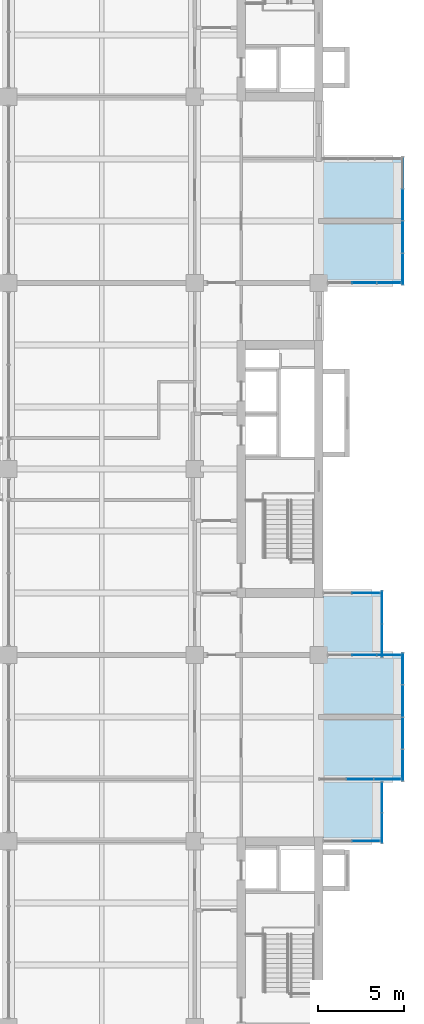
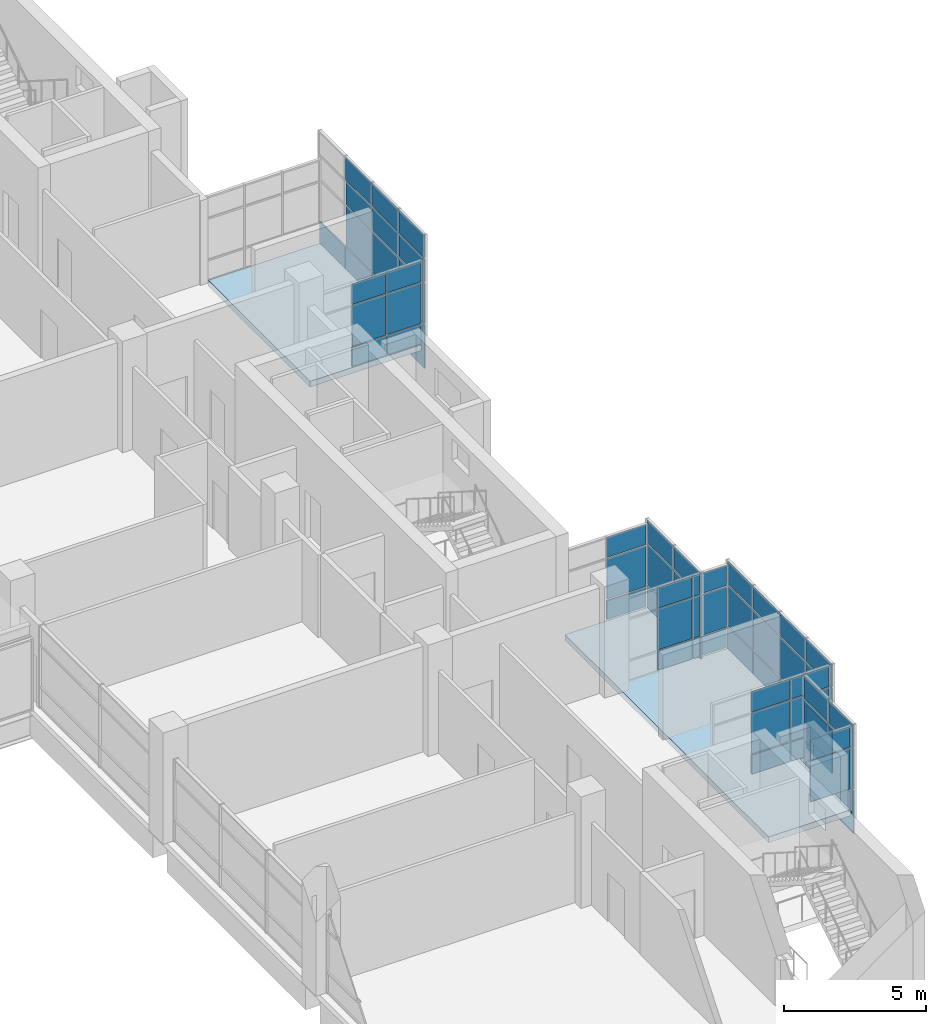
# One storey, part 24 of 35: 60 plates, 2 slabs, 9 elements without a shape of their own.
"""IFC4 building model written with IfcOpenShell, lengths in metres."""

from ifc_helpers import new_model, si_unit, direction, frame, origin, origin_2d, place, context, subcontext, project, spatial, polyline, rectangle, outline, extrude, material, layer, layer_set, type_object, element, aggregate, save


model = new_model("IFC4")

# Units and contexts
model_context = context("Model", 3, precision=1e-05, world=origin(), true_north=direction((0.0, 1.0)))
body_context = subcontext(model_context, "Body", "Model", "MODEL_VIEW")
ifc_project = project(units=[si_unit("LENGTHUNIT", "METRE"), si_unit("AREAUNIT", "SQUARE_METRE"), si_unit("VOLUMEUNIT", "CUBIC_METRE"), si_unit("PLANEANGLEUNIT", "RADIAN"), si_unit("MASSUNIT", "GRAM", prefix="KILO")], contexts=[model_context])

# Site, building, storey
site_placement = place(None, origin())
site = spatial("IfcSite", under=ifc_project, at=site_placement, CompositionType="ELEMENT")
building_placement = place(site_placement, origin())
building = spatial("IfcBuilding", under=site, at=building_placement, Name="Basin Gate Institute", CompositionType="ELEMENT")
storey_placement = place(building_placement, frame((0.0, 0.0, 31.800048828125)))
storey = spatial("IfcBuildingStorey", under=building, at=storey_placement, Name="L06", CompositionType="ELEMENT", Elevation=31.800048828125)

# Slabs
ifc_material_1 = material(Name="Concrete 40 MPa", Category="concrete")
ifc_layer_1 = layer(ifc_material_1, 0.25)
ifc_layer_set_1 = layer_set([ifc_layer_1], Name="Concrete 40 MPa")
slab_type = type_object("IfcSlabType", Name="Slab SL4 R120", PredefinedType="FLOOR", material=ifc_layer_set_1)
slab_1_placement = place(storey_placement, frame((0.0, 0.0, -0.25)))
element("IfcSlab", 1, at=slab_1_placement, inside=storey, type_object=slab_type, material=ifc_layer_set_1, Name="SLAB/L06/EK11", PredefinedType="FLOOR", context=body_context, shape_type="SweptSolid", body=[
    extrude(outline(polyline([(119.050048828125, 45.89990234375), (119.050048828125, 60.300048828125), (122.39990234375, 60.300048828125), (122.39990234375, 56.699951171875), (123.60009765625, 56.699951171875), (123.60009765625, 49.5), (122.39990234375, 49.5), (122.39990234375, 45.89990234375), (119.050048828125, 45.89990234375)])), origin(), (0.0, 0.0, 1.0), 0.25),
])
slab_2_placement = place(storey_placement, frame((0.0, 0.0, -0.25)))
element("IfcSlab", 2, at=slab_2_placement, inside=storey, type_object=slab_type, material=ifc_layer_set_1, Name="SLAB/L06/EK22", PredefinedType="FLOOR", context=body_context, shape_type="SweptSolid", body=[
    extrude(outline(polyline([(123.60009765625, 78.300048828125), (119.050048828125, 78.300048828125), (119.050048828125, 85.5), (123.60009765625, 85.5), (123.60009765625, 78.300048828125)])), origin(), (0.0, 0.0, 1.0), 0.25),
])

# Curtain wall, plates
ifc_material_2 = material(Name="Aluminium-framed glazing", Category="aluminium")
ifc_layer_2 = layer(ifc_material_2, 0.14990234375)
ifc_layer_set_2 = layer_set([ifc_layer_2], Name="Capsule front curtain wall CW1")
curtain_wall_type = type_object("IfcCurtainWallType", Name="Capsule front curtain wall CW1", PredefinedType="NOTDEFINED", material=ifc_layer_set_2)
curtain_wall_1_placement = place(storey_placement, origin())
curtain_wall_1 = element("IfcCurtainWall", 3, at=curtain_wall_1_placement, inside=storey, type_object=curtain_wall_type, material=ifc_layer_set_2, Name="Capsule front curtain wall E wing capsule end L06 line 5", PredefinedType="NOTDEFINED")
ifc_material_3 = material(Name="Aluminium insulated spandrel panel", Category="aluminium")
ifc_layer_3 = layer(ifc_material_3, 0.050048828125)
ifc_layer_set_3 = layer_set([ifc_layer_3], Name="Spandrel panel PN2")
plate_type_1 = type_object("IfcPlateType", Name="Spandrel panel PN2", PredefinedType="CURTAIN_PANEL", material=ifc_layer_set_3)
plate_1_placement = place(storey_placement, frame((122.78759765625, 49.5, 0.059814453125), z_axis=(0.0, 0.0, 1.0), x_axis=(-1.0, 0.0, 0.0)))
plate_1 = element("IfcPlate", 4, at=plate_1_placement, type_object=plate_type_1, material=ifc_layer_set_3, Name="CW1 spandrel panel 1.1", PredefinedType="CURTAIN_PANEL", context=body_context, shape_type="SweptSolid", body=[
    extrude(rectangle(XDim=1.52490234375, YDim=0.050048828125, at=origin_2d()), origin(), (0.0, 0.0, 1.0), 0.81005859375),
])
plate_2_placement = place(storey_placement, frame((121.199951171875, 49.5, 0.059814453125), z_axis=(0.0, 0.0, 1.0), x_axis=(-1.0, 0.0, 0.0)))
plate_2 = element("IfcPlate", 5, at=plate_2_placement, type_object=plate_type_1, material=ifc_layer_set_3, Name="CW1 spandrel panel 2.1", PredefinedType="CURTAIN_PANEL", context=body_context, shape_type="SweptSolid", body=[
    extrude(rectangle(XDim=1.550048828125, YDim=0.050048828125, at=origin_2d()), origin(), (0.0, 0.0, 1.0), 0.81005859375),
])

curtain_wall_2_placement = place(storey_placement, origin())
curtain_wall_2 = element("IfcCurtainWall", 6, at=curtain_wall_2_placement, inside=storey, type_object=curtain_wall_type, material=ifc_layer_set_2, Name="Capsule front curtain wall E wing capsule end L06 line 7", PredefinedType="NOTDEFINED")
plate_3_placement = place(storey_placement, frame((122.870849609375, 56.699951171875, 0.059814453125), z_axis=(0.0, 0.0, 1.0), x_axis=(-1.0, 0.0, 0.0)))
plate_3 = element("IfcPlate", 7, at=plate_3_placement, type_object=plate_type_1, material=ifc_layer_set_3, Name="CW1 spandrel panel 1.1", PredefinedType="CURTAIN_PANEL", context=body_context, shape_type="SweptSolid", body=[
    extrude(rectangle(XDim=1.3583984375, YDim=0.050048828125, at=origin_2d()), origin(), (0.0, 0.0, 1.0), 0.81005859375),
])
plate_4_placement = place(storey_placement, frame((121.449951171875, 56.699951171875, 0.059814453125), z_axis=(0.0, 0.0, 1.0), x_axis=(-1.0, 0.0, 0.0)))
plate_4 = element("IfcPlate", 8, at=plate_4_placement, type_object=plate_type_1, material=ifc_layer_set_3, Name="CW1 spandrel panel 2.1", PredefinedType="CURTAIN_PANEL", context=body_context, shape_type="SweptSolid", body=[
    extrude(rectangle(XDim=1.38330078125, YDim=0.050048828125, at=origin_2d()), origin(), (0.0, 0.0, 1.0), 0.81005859375),
])

# Curtain wall, plate
curtain_wall_3_placement = place(storey_placement, origin())
curtain_wall_3 = element("IfcCurtainWall", 9, at=curtain_wall_3_placement, inside=storey, type_object=curtain_wall_type, material=ifc_layer_set_2, Name="Capsule front curtain wall E wing capsule end L06 line 8", PredefinedType="NOTDEFINED")
plate_5_placement = place(storey_placement, frame((121.550048828125, 60.300048828125, 0.059814453125), z_axis=(0.0, 0.0, 1.0), x_axis=(-1.0, 0.0, 0.0)))
plate_5 = element("IfcPlate", 10, at=plate_5_placement, type_object=plate_type_1, material=ifc_layer_set_3, Name="CW1 spandrel panel 1.1", PredefinedType="CURTAIN_PANEL", context=body_context, shape_type="SweptSolid", body=[
    extrude(rectangle(XDim=1.60009765625, YDim=0.050048828125, at=origin_2d()), origin(), (0.0, 0.0, 1.0), 0.81005859375),
])

# Curtain wall, plates
curtain_wall_4_placement = place(storey_placement, origin())
curtain_wall_4 = element("IfcCurtainWall", 11, at=curtain_wall_4_placement, inside=storey, type_object=curtain_wall_type, material=ifc_layer_set_2, Name="Capsule front curtain wall E wing capsule end L06 line 13", PredefinedType="NOTDEFINED")
plate_6_placement = place(storey_placement, frame((122.870849609375, 78.300048828125, 0.059814453125), z_axis=(0.0, 0.0, 1.0), x_axis=(-1.0, 0.0, 0.0)))
plate_6 = element("IfcPlate", 12, at=plate_6_placement, type_object=plate_type_1, material=ifc_layer_set_3, Name="CW1 spandrel panel 1.1", PredefinedType="CURTAIN_PANEL", context=body_context, shape_type="SweptSolid", body=[
    extrude(rectangle(XDim=1.3583984375, YDim=0.050048828125, at=origin_2d()), origin(), (0.0, 0.0, 1.0), 0.81005859375),
])
plate_7_placement = place(storey_placement, frame((121.449951171875, 78.300048828125, 0.059814453125), z_axis=(0.0, 0.0, 1.0), x_axis=(-1.0, 0.0, 0.0)))
plate_7 = element("IfcPlate", 13, at=plate_7_placement, type_object=plate_type_1, material=ifc_layer_set_3, Name="CW1 spandrel panel 2.1", PredefinedType="CURTAIN_PANEL", context=body_context, shape_type="SweptSolid", body=[
    extrude(rectangle(XDim=1.38330078125, YDim=0.050048828125, at=origin_2d()), origin(), (0.0, 0.0, 1.0), 0.81005859375),
])

curtain_wall_5_placement = place(storey_placement, origin())
curtain_wall_5 = element("IfcCurtainWall", 14, at=curtain_wall_5_placement, inside=storey, type_object=curtain_wall_type, material=ifc_layer_set_2, Name="Capsule front curtain wall E wing capsule 1 L06 front 1", PredefinedType="NOTDEFINED")
plate_8_placement = place(storey_placement, frame((122.47509765625, 46.66259765625, -0.990234375), z_axis=(0.0, 0.0, 1.0), x_axis=(0.0, 1.0, 0.0)))
plate_8 = element("IfcPlate", 15, at=plate_8_placement, type_object=plate_type_1, material=ifc_layer_set_3, Name="CW1 spandrel panel 1.1", PredefinedType="CURTAIN_PANEL", context=body_context, shape_type="SweptSolid", body=[
    extrude(rectangle(XDim=1.72509765625, YDim=0.050048828125, at=origin_2d()), origin(), (0.0, 0.0, 1.0), 1.860107421875),
])
plate_9_placement = place(storey_placement, frame((122.47509765625, 48.4375, -0.990234375), z_axis=(0.0, 0.0, 1.0), x_axis=(0.0, 1.0, 0.0)))
plate_9 = element("IfcPlate", 16, at=plate_9_placement, type_object=plate_type_1, material=ifc_layer_set_3, Name="CW1 spandrel panel 2.1", PredefinedType="CURTAIN_PANEL", context=body_context, shape_type="SweptSolid", body=[
    extrude(rectangle(XDim=1.72509765625, YDim=0.050048828125, at=origin_2d()), origin(), (0.0, 0.0, 1.0), 1.860107421875),
])

curtain_wall_6_placement = place(storey_placement, origin())
curtain_wall_6 = element("IfcCurtainWall", 17, at=curtain_wall_6_placement, inside=storey, type_object=curtain_wall_type, material=ifc_layer_set_2, Name="Capsule front curtain wall E wing capsule 1 L06 front 2", PredefinedType="NOTDEFINED")
plate_10_placement = place(storey_placement, frame((123.675048828125, 50.300048828125, -0.990234375), z_axis=(0.0, 0.0, 1.0), x_axis=(0.0, 1.0, 0.0)))
plate_10 = element("IfcPlate", 18, at=plate_10_placement, type_object=plate_type_1, material=ifc_layer_set_3, Name="CW1 spandrel panel 1.1", PredefinedType="CURTAIN_PANEL", context=body_context, shape_type="SweptSolid", body=[
    extrude(rectangle(XDim=1.800048828125, YDim=0.050048828125, at=origin_2d()), origin(), (0.0, 0.0, 1.0), 1.860107421875),
])
plate_11_placement = place(storey_placement, frame((123.675048828125, 52.16259765625, -0.990234375), z_axis=(0.0, 0.0, 1.0), x_axis=(0.0, 1.0, 0.0)))
plate_11 = element("IfcPlate", 19, at=plate_11_placement, type_object=plate_type_1, material=ifc_layer_set_3, Name="CW1 spandrel panel 2.1", PredefinedType="CURTAIN_PANEL", context=body_context, shape_type="SweptSolid", body=[
    extrude(rectangle(XDim=1.824951171875, YDim=0.050048828125, at=origin_2d()), origin(), (0.0, 0.0, 1.0), 1.860107421875),
])
plate_12_placement = place(storey_placement, frame((123.675048828125, 54.03759765625, -0.990234375), z_axis=(0.0, 0.0, 1.0), x_axis=(0.0, 1.0, 0.0)))
plate_12 = element("IfcPlate", 20, at=plate_12_placement, type_object=plate_type_1, material=ifc_layer_set_3, Name="CW1 spandrel panel 3.1", PredefinedType="CURTAIN_PANEL", context=body_context, shape_type="SweptSolid", body=[
    extrude(rectangle(XDim=1.824951171875, YDim=0.050048828125, at=origin_2d()), origin(), (0.0, 0.0, 1.0), 1.860107421875),
])
plate_13_placement = place(storey_placement, frame((123.675048828125, 55.89990234375, -0.990234375), z_axis=(0.0, 0.0, 1.0), x_axis=(0.0, 1.0, 0.0)))
plate_13 = element("IfcPlate", 21, at=plate_13_placement, type_object=plate_type_1, material=ifc_layer_set_3, Name="CW1 spandrel panel 4.1", PredefinedType="CURTAIN_PANEL", context=body_context, shape_type="SweptSolid", body=[
    extrude(rectangle(XDim=1.800048828125, YDim=0.050048828125, at=origin_2d()), origin(), (0.0, 0.0, 1.0), 1.860107421875),
])

curtain_wall_7_placement = place(storey_placement, origin())
curtain_wall_7 = element("IfcCurtainWall", 22, at=curtain_wall_7_placement, inside=storey, type_object=curtain_wall_type, material=ifc_layer_set_2, Name="Capsule front curtain wall E wing capsule 1 L06 front 4", PredefinedType="NOTDEFINED")
plate_14_placement = place(storey_placement, frame((122.47509765625, 57.53759765625, -0.990234375), z_axis=(0.0, 0.0, 1.0), x_axis=(0.0, 1.0, 0.0)))
plate_14 = element("IfcPlate", 23, at=plate_14_placement, type_object=plate_type_1, material=ifc_layer_set_3, Name="CW1 spandrel panel 1.1", PredefinedType="CURTAIN_PANEL", context=body_context, shape_type="SweptSolid", body=[
    extrude(rectangle(XDim=1.875, YDim=0.050048828125, at=origin_2d()), origin(), (0.0, 0.0, 1.0), 1.860107421875),
])
plate_15_placement = place(storey_placement, frame((122.47509765625, 59.46240234375, -0.990234375), z_axis=(0.0, 0.0, 1.0), x_axis=(0.0, 1.0, 0.0)))
plate_15 = element("IfcPlate", 24, at=plate_15_placement, type_object=plate_type_1, material=ifc_layer_set_3, Name="CW1 spandrel panel 2.1", PredefinedType="CURTAIN_PANEL", context=body_context, shape_type="SweptSolid", body=[
    extrude(rectangle(XDim=1.875, YDim=0.050048828125, at=origin_2d()), origin(), (0.0, 0.0, 1.0), 1.860107421875),
])

curtain_wall_8_placement = place(storey_placement, origin())
curtain_wall_8 = element("IfcCurtainWall", 25, at=curtain_wall_8_placement, inside=storey, type_object=curtain_wall_type, material=ifc_layer_set_2, Name="Capsule front curtain wall E wing capsule 2 L06 front 2", PredefinedType="NOTDEFINED")
plate_16_placement = place(storey_placement, frame((123.675048828125, 79.10009765625, -0.990234375), z_axis=(0.0, 0.0, 1.0), x_axis=(0.0, 1.0, 0.0)))
plate_16 = element("IfcPlate", 26, at=plate_16_placement, type_object=plate_type_1, material=ifc_layer_set_3, Name="CW1 spandrel panel 1.1", PredefinedType="CURTAIN_PANEL", context=body_context, shape_type="SweptSolid", body=[
    extrude(rectangle(XDim=1.800048828125, YDim=0.050048828125, at=origin_2d()), origin(), (0.0, 0.0, 1.0), 1.860107421875),
])
plate_17_placement = place(storey_placement, frame((123.675048828125, 79.10009765625, 3.780029296875), z_axis=(0.0, 0.0, 1.0), x_axis=(0.0, 1.0, 0.0)))
plate_17 = element("IfcPlate", 27, at=plate_17_placement, type_object=plate_type_1, material=ifc_layer_set_3, Name="CW1 spandrel panel 1.4", PredefinedType="CURTAIN_PANEL", context=body_context, shape_type="SweptSolid", body=[
    extrude(rectangle(XDim=1.800048828125, YDim=0.050048828125, at=origin_2d()), origin(), (0.0, 0.0, 1.0), 0.9599609375),
])
plate_18_placement = place(storey_placement, frame((123.675048828125, 80.96240234375, -0.990234375), z_axis=(0.0, 0.0, 1.0), x_axis=(0.0, 1.0, 0.0)))
plate_18 = element("IfcPlate", 28, at=plate_18_placement, type_object=plate_type_1, material=ifc_layer_set_3, Name="CW1 spandrel panel 2.1", PredefinedType="CURTAIN_PANEL", context=body_context, shape_type="SweptSolid", body=[
    extrude(rectangle(XDim=1.824951171875, YDim=0.050048828125, at=origin_2d()), origin(), (0.0, 0.0, 1.0), 1.860107421875),
])
plate_19_placement = place(storey_placement, frame((123.675048828125, 80.96240234375, 3.780029296875), z_axis=(0.0, 0.0, 1.0), x_axis=(0.0, 1.0, 0.0)))
plate_19 = element("IfcPlate", 29, at=plate_19_placement, type_object=plate_type_1, material=ifc_layer_set_3, Name="CW1 spandrel panel 2.4", PredefinedType="CURTAIN_PANEL", context=body_context, shape_type="SweptSolid", body=[
    extrude(rectangle(XDim=1.824951171875, YDim=0.050048828125, at=origin_2d()), origin(), (0.0, 0.0, 1.0), 0.9599609375),
])
plate_20_placement = place(storey_placement, frame((123.675048828125, 82.83740234375, -0.990234375), z_axis=(0.0, 0.0, 1.0), x_axis=(0.0, 1.0, 0.0)))
plate_20 = element("IfcPlate", 30, at=plate_20_placement, type_object=plate_type_1, material=ifc_layer_set_3, Name="CW1 spandrel panel 3.1", PredefinedType="CURTAIN_PANEL", context=body_context, shape_type="SweptSolid", body=[
    extrude(rectangle(XDim=1.824951171875, YDim=0.050048828125, at=origin_2d()), origin(), (0.0, 0.0, 1.0), 1.860107421875),
])
plate_21_placement = place(storey_placement, frame((123.675048828125, 82.83740234375, 3.780029296875), z_axis=(0.0, 0.0, 1.0), x_axis=(0.0, 1.0, 0.0)))
plate_21 = element("IfcPlate", 31, at=plate_21_placement, type_object=plate_type_1, material=ifc_layer_set_3, Name="CW1 spandrel panel 3.4", PredefinedType="CURTAIN_PANEL", context=body_context, shape_type="SweptSolid", body=[
    extrude(rectangle(XDim=1.824951171875, YDim=0.050048828125, at=origin_2d()), origin(), (0.0, 0.0, 1.0), 0.9599609375),
])
plate_22_placement = place(storey_placement, frame((123.675048828125, 84.699951171875, -0.990234375), z_axis=(0.0, 0.0, 1.0), x_axis=(0.0, 1.0, 0.0)))
plate_22 = element("IfcPlate", 32, at=plate_22_placement, type_object=plate_type_1, material=ifc_layer_set_3, Name="CW1 spandrel panel 4.1", PredefinedType="CURTAIN_PANEL", context=body_context, shape_type="SweptSolid", body=[
    extrude(rectangle(XDim=1.800048828125, YDim=0.050048828125, at=origin_2d()), origin(), (0.0, 0.0, 1.0), 1.860107421875),
])

curtain_wall_9_placement = place(storey_placement, origin())
curtain_wall_9 = element("IfcCurtainWall", 33, at=curtain_wall_9_placement, inside=storey, type_object=curtain_wall_type, material=ifc_layer_set_2, Name="Capsule front curtain wall E wing capsule end L06 line 4", PredefinedType="NOTDEFINED")
ifc_material_4 = material(Name="Double glazed unit")
ifc_layer_4 = layer(ifc_material_4, 0.028076171875)
ifc_layer_set_4 = layer_set([ifc_layer_4], Name="Vision panel PN1")
plate_type_2 = type_object("IfcPlateType", Name="Vision panel PN1", PredefinedType="CURTAIN_PANEL", material=ifc_layer_set_4)
plate_23_placement = place(storey_placement, frame((121.550048828125, 45.89990234375, 0.93017578125), z_axis=(0.0, 0.0, 1.0), x_axis=(-1.0, 0.0, 0.0)))
plate_23 = element("IfcPlate", 34, at=plate_23_placement, type_object=plate_type_2, material=ifc_layer_set_4, Name="CW1 vision panel 1.2", PredefinedType="CURTAIN_PANEL", context=body_context, shape_type="SweptSolid", body=[
    extrude(rectangle(XDim=1.60009765625, YDim=0.028076171875, at=origin_2d()), origin(), (0.0, 0.0, 1.0), 1.739990234375),
])
plate_24_placement = place(storey_placement, frame((121.550048828125, 45.89990234375, 2.72998046875), z_axis=(0.0, 0.0, 1.0), x_axis=(-1.0, 0.0, 0.0)))
plate_24 = element("IfcPlate", 35, at=plate_24_placement, type_object=plate_type_2, material=ifc_layer_set_4, Name="CW1 vision panel 1.3", PredefinedType="CURTAIN_PANEL", context=body_context, shape_type="SweptSolid", body=[
    extrude(rectangle(XDim=1.60009765625, YDim=0.028076171875, at=origin_2d()), origin(), (0.0, 0.0, 1.0), 0.860107421875),
])
aggregate(curtain_wall_9, [plate_23, plate_24])

# Plate
plate_25_placement = place(storey_placement, frame((122.78759765625, 49.5, 0.93017578125), z_axis=(0.0, 0.0, 1.0), x_axis=(-1.0, 0.0, 0.0)))
plate_25 = element("IfcPlate", 36, at=plate_25_placement, type_object=plate_type_2, material=ifc_layer_set_4, Name="CW1 vision panel 1.2", PredefinedType="CURTAIN_PANEL", context=body_context, shape_type="SweptSolid", body=[
    extrude(rectangle(XDim=1.52490234375, YDim=0.028076171875, at=origin_2d()), origin(), (0.0, 0.0, 1.0), 1.739990234375),
])

plate_26_placement = place(storey_placement, frame((122.78759765625, 49.5, 2.72998046875), z_axis=(0.0, 0.0, 1.0), x_axis=(-1.0, 0.0, 0.0)))
plate_26 = element("IfcPlate", 37, at=plate_26_placement, type_object=plate_type_2, material=ifc_layer_set_4, Name="CW1 vision panel 1.3", PredefinedType="CURTAIN_PANEL", context=body_context, shape_type="SweptSolid", body=[
    extrude(rectangle(XDim=1.52490234375, YDim=0.028076171875, at=origin_2d()), origin(), (0.0, 0.0, 1.0), 0.860107421875),
])

plate_27_placement = place(storey_placement, frame((121.199951171875, 49.5, 0.93017578125), z_axis=(0.0, 0.0, 1.0), x_axis=(-1.0, 0.0, 0.0)))
plate_27 = element("IfcPlate", 38, at=plate_27_placement, type_object=plate_type_2, material=ifc_layer_set_4, Name="CW1 vision panel 2.2", PredefinedType="CURTAIN_PANEL", context=body_context, shape_type="SweptSolid", body=[
    extrude(rectangle(XDim=1.550048828125, YDim=0.028076171875, at=origin_2d()), origin(), (0.0, 0.0, 1.0), 1.739990234375),
])

plate_28_placement = place(storey_placement, frame((121.199951171875, 49.5, 2.72998046875), z_axis=(0.0, 0.0, 1.0), x_axis=(-1.0, 0.0, 0.0)))
plate_28 = element("IfcPlate", 39, at=plate_28_placement, type_object=plate_type_2, material=ifc_layer_set_4, Name="CW1 vision panel 2.3", PredefinedType="CURTAIN_PANEL", context=body_context, shape_type="SweptSolid", body=[
    extrude(rectangle(XDim=1.550048828125, YDim=0.028076171875, at=origin_2d()), origin(), (0.0, 0.0, 1.0), 0.860107421875),
])

aggregate(curtain_wall_1, [plate_1, plate_25, plate_26, plate_2, plate_27, plate_28])

plate_29_placement = place(storey_placement, frame((122.870849609375, 56.699951171875, 0.93017578125), z_axis=(0.0, 0.0, 1.0), x_axis=(-1.0, 0.0, 0.0)))
plate_29 = element("IfcPlate", 40, at=plate_29_placement, type_object=plate_type_2, material=ifc_layer_set_4, Name="CW1 vision panel 1.2", PredefinedType="CURTAIN_PANEL", context=body_context, shape_type="SweptSolid", body=[
    extrude(rectangle(XDim=1.3583984375, YDim=0.028076171875, at=origin_2d()), origin(), (0.0, 0.0, 1.0), 1.739990234375),
])

plate_30_placement = place(storey_placement, frame((122.870849609375, 56.699951171875, 2.72998046875), z_axis=(0.0, 0.0, 1.0), x_axis=(-1.0, 0.0, 0.0)))
plate_30 = element("IfcPlate", 41, at=plate_30_placement, type_object=plate_type_2, material=ifc_layer_set_4, Name="CW1 vision panel 1.3", PredefinedType="CURTAIN_PANEL", context=body_context, shape_type="SweptSolid", body=[
    extrude(rectangle(XDim=1.3583984375, YDim=0.028076171875, at=origin_2d()), origin(), (0.0, 0.0, 1.0), 0.860107421875),
])

plate_31_placement = place(storey_placement, frame((121.449951171875, 56.699951171875, 0.93017578125), z_axis=(0.0, 0.0, 1.0), x_axis=(-1.0, 0.0, 0.0)))
plate_31 = element("IfcPlate", 42, at=plate_31_placement, type_object=plate_type_2, material=ifc_layer_set_4, Name="CW1 vision panel 2.2", PredefinedType="CURTAIN_PANEL", context=body_context, shape_type="SweptSolid", body=[
    extrude(rectangle(XDim=1.38330078125, YDim=0.028076171875, at=origin_2d()), origin(), (0.0, 0.0, 1.0), 1.739990234375),
])

plate_32_placement = place(storey_placement, frame((121.449951171875, 56.699951171875, 2.72998046875), z_axis=(0.0, 0.0, 1.0), x_axis=(-1.0, 0.0, 0.0)))
plate_32 = element("IfcPlate", 43, at=plate_32_placement, type_object=plate_type_2, material=ifc_layer_set_4, Name="CW1 vision panel 2.3", PredefinedType="CURTAIN_PANEL", context=body_context, shape_type="SweptSolid", body=[
    extrude(rectangle(XDim=1.38330078125, YDim=0.028076171875, at=origin_2d()), origin(), (0.0, 0.0, 1.0), 0.860107421875),
])

aggregate(curtain_wall_2, [plate_3, plate_29, plate_30, plate_4, plate_31, plate_32])

plate_33_placement = place(storey_placement, frame((121.550048828125, 60.300048828125, 0.93017578125), z_axis=(0.0, 0.0, 1.0), x_axis=(-1.0, 0.0, 0.0)))
plate_33 = element("IfcPlate", 44, at=plate_33_placement, type_object=plate_type_2, material=ifc_layer_set_4, Name="CW1 vision panel 1.2", PredefinedType="CURTAIN_PANEL", context=body_context, shape_type="SweptSolid", body=[
    extrude(rectangle(XDim=1.60009765625, YDim=0.028076171875, at=origin_2d()), origin(), (0.0, 0.0, 1.0), 1.739990234375),
])

plate_34_placement = place(storey_placement, frame((121.550048828125, 60.300048828125, 2.72998046875), z_axis=(0.0, 0.0, 1.0), x_axis=(-1.0, 0.0, 0.0)))
plate_34 = element("IfcPlate", 45, at=plate_34_placement, type_object=plate_type_2, material=ifc_layer_set_4, Name="CW1 vision panel 1.3", PredefinedType="CURTAIN_PANEL", context=body_context, shape_type="SweptSolid", body=[
    extrude(rectangle(XDim=1.60009765625, YDim=0.028076171875, at=origin_2d()), origin(), (0.0, 0.0, 1.0), 0.860107421875),
])

aggregate(curtain_wall_3, [plate_5, plate_33, plate_34])

plate_35_placement = place(storey_placement, frame((122.870849609375, 78.300048828125, 0.93017578125), z_axis=(0.0, 0.0, 1.0), x_axis=(-1.0, 0.0, 0.0)))
plate_35 = element("IfcPlate", 46, at=plate_35_placement, type_object=plate_type_2, material=ifc_layer_set_4, Name="CW1 vision panel 1.2", PredefinedType="CURTAIN_PANEL", context=body_context, shape_type="SweptSolid", body=[
    extrude(rectangle(XDim=1.3583984375, YDim=0.028076171875, at=origin_2d()), origin(), (0.0, 0.0, 1.0), 1.739990234375),
])

plate_36_placement = place(storey_placement, frame((122.870849609375, 78.300048828125, 2.72998046875), z_axis=(0.0, 0.0, 1.0), x_axis=(-1.0, 0.0, 0.0)))
plate_36 = element("IfcPlate", 47, at=plate_36_placement, type_object=plate_type_2, material=ifc_layer_set_4, Name="CW1 vision panel 1.3", PredefinedType="CURTAIN_PANEL", context=body_context, shape_type="SweptSolid", body=[
    extrude(rectangle(XDim=1.3583984375, YDim=0.028076171875, at=origin_2d()), origin(), (0.0, 0.0, 1.0), 0.860107421875),
])

plate_37_placement = place(storey_placement, frame((121.449951171875, 78.300048828125, 0.93017578125), z_axis=(0.0, 0.0, 1.0), x_axis=(-1.0, 0.0, 0.0)))
plate_37 = element("IfcPlate", 48, at=plate_37_placement, type_object=plate_type_2, material=ifc_layer_set_4, Name="CW1 vision panel 2.2", PredefinedType="CURTAIN_PANEL", context=body_context, shape_type="SweptSolid", body=[
    extrude(rectangle(XDim=1.38330078125, YDim=0.028076171875, at=origin_2d()), origin(), (0.0, 0.0, 1.0), 1.739990234375),
])

plate_38_placement = place(storey_placement, frame((121.449951171875, 78.300048828125, 2.72998046875), z_axis=(0.0, 0.0, 1.0), x_axis=(-1.0, 0.0, 0.0)))
plate_38 = element("IfcPlate", 49, at=plate_38_placement, type_object=plate_type_2, material=ifc_layer_set_4, Name="CW1 vision panel 2.3", PredefinedType="CURTAIN_PANEL", context=body_context, shape_type="SweptSolid", body=[
    extrude(rectangle(XDim=1.38330078125, YDim=0.028076171875, at=origin_2d()), origin(), (0.0, 0.0, 1.0), 0.860107421875),
])

aggregate(curtain_wall_4, [plate_6, plate_35, plate_36, plate_7, plate_37, plate_38])

plate_39_placement = place(storey_placement, frame((122.47509765625, 46.66259765625, 0.93017578125), z_axis=(0.0, 0.0, 1.0), x_axis=(0.0, 1.0, 0.0)))
plate_39 = element("IfcPlate", 50, at=plate_39_placement, type_object=plate_type_2, material=ifc_layer_set_4, Name="CW1 vision panel 1.2", PredefinedType="CURTAIN_PANEL", context=body_context, shape_type="SweptSolid", body=[
    extrude(rectangle(XDim=1.72509765625, YDim=0.028076171875, at=origin_2d()), origin(), (0.0, 0.0, 1.0), 1.739990234375),
])

plate_40_placement = place(storey_placement, frame((122.47509765625, 46.66259765625, 2.72998046875), z_axis=(0.0, 0.0, 1.0), x_axis=(0.0, 1.0, 0.0)))
plate_40 = element("IfcPlate", 51, at=plate_40_placement, type_object=plate_type_2, material=ifc_layer_set_4, Name="CW1 vision panel 1.3", PredefinedType="CURTAIN_PANEL", context=body_context, shape_type="SweptSolid", body=[
    extrude(rectangle(XDim=1.72509765625, YDim=0.028076171875, at=origin_2d()), origin(), (0.0, 0.0, 1.0), 0.9599609375),
])

plate_41_placement = place(storey_placement, frame((122.47509765625, 48.4375, 0.93017578125), z_axis=(0.0, 0.0, 1.0), x_axis=(0.0, 1.0, 0.0)))
plate_41 = element("IfcPlate", 52, at=plate_41_placement, type_object=plate_type_2, material=ifc_layer_set_4, Name="CW1 vision panel 2.2", PredefinedType="CURTAIN_PANEL", context=body_context, shape_type="SweptSolid", body=[
    extrude(rectangle(XDim=1.72509765625, YDim=0.028076171875, at=origin_2d()), origin(), (0.0, 0.0, 1.0), 1.739990234375),
])

plate_42_placement = place(storey_placement, frame((122.47509765625, 48.4375, 2.72998046875), z_axis=(0.0, 0.0, 1.0), x_axis=(0.0, 1.0, 0.0)))
plate_42 = element("IfcPlate", 53, at=plate_42_placement, type_object=plate_type_2, material=ifc_layer_set_4, Name="CW1 vision panel 2.3", PredefinedType="CURTAIN_PANEL", context=body_context, shape_type="SweptSolid", body=[
    extrude(rectangle(XDim=1.72509765625, YDim=0.028076171875, at=origin_2d()), origin(), (0.0, 0.0, 1.0), 0.9599609375),
])

aggregate(curtain_wall_5, [plate_8, plate_39, plate_40, plate_9, plate_41, plate_42])

plate_43_placement = place(storey_placement, frame((123.675048828125, 50.300048828125, 0.93017578125), z_axis=(0.0, 0.0, 1.0), x_axis=(0.0, 1.0, 0.0)))
plate_43 = element("IfcPlate", 54, at=plate_43_placement, type_object=plate_type_2, material=ifc_layer_set_4, Name="CW1 vision panel 1.2", PredefinedType="CURTAIN_PANEL", context=body_context, shape_type="SweptSolid", body=[
    extrude(rectangle(XDim=1.800048828125, YDim=0.028076171875, at=origin_2d()), origin(), (0.0, 0.0, 1.0), 1.739990234375),
])

plate_44_placement = place(storey_placement, frame((123.675048828125, 50.300048828125, 2.72998046875), z_axis=(0.0, 0.0, 1.0), x_axis=(0.0, 1.0, 0.0)))
plate_44 = element("IfcPlate", 55, at=plate_44_placement, type_object=plate_type_2, material=ifc_layer_set_4, Name="CW1 vision panel 1.3", PredefinedType="CURTAIN_PANEL", context=body_context, shape_type="SweptSolid", body=[
    extrude(rectangle(XDim=1.800048828125, YDim=0.028076171875, at=origin_2d()), origin(), (0.0, 0.0, 1.0), 0.9599609375),
])

plate_45_placement = place(storey_placement, frame((123.675048828125, 52.16259765625, 0.93017578125), z_axis=(0.0, 0.0, 1.0), x_axis=(0.0, 1.0, 0.0)))
plate_45 = element("IfcPlate", 56, at=plate_45_placement, type_object=plate_type_2, material=ifc_layer_set_4, Name="CW1 vision panel 2.2", PredefinedType="CURTAIN_PANEL", context=body_context, shape_type="SweptSolid", body=[
    extrude(rectangle(XDim=1.824951171875, YDim=0.028076171875, at=origin_2d()), origin(), (0.0, 0.0, 1.0), 1.739990234375),
])

plate_46_placement = place(storey_placement, frame((123.675048828125, 52.16259765625, 2.72998046875), z_axis=(0.0, 0.0, 1.0), x_axis=(0.0, 1.0, 0.0)))
plate_46 = element("IfcPlate", 57, at=plate_46_placement, type_object=plate_type_2, material=ifc_layer_set_4, Name="CW1 vision panel 2.3", PredefinedType="CURTAIN_PANEL", context=body_context, shape_type="SweptSolid", body=[
    extrude(rectangle(XDim=1.824951171875, YDim=0.028076171875, at=origin_2d()), origin(), (0.0, 0.0, 1.0), 0.9599609375),
])

plate_47_placement = place(storey_placement, frame((123.675048828125, 54.03759765625, 0.93017578125), z_axis=(0.0, 0.0, 1.0), x_axis=(0.0, 1.0, 0.0)))
plate_47 = element("IfcPlate", 58, at=plate_47_placement, type_object=plate_type_2, material=ifc_layer_set_4, Name="CW1 vision panel 3.2", PredefinedType="CURTAIN_PANEL", context=body_context, shape_type="SweptSolid", body=[
    extrude(rectangle(XDim=1.824951171875, YDim=0.028076171875, at=origin_2d()), origin(), (0.0, 0.0, 1.0), 1.739990234375),
])

plate_48_placement = place(storey_placement, frame((123.675048828125, 54.03759765625, 2.72998046875), z_axis=(0.0, 0.0, 1.0), x_axis=(0.0, 1.0, 0.0)))
plate_48 = element("IfcPlate", 59, at=plate_48_placement, type_object=plate_type_2, material=ifc_layer_set_4, Name="CW1 vision panel 3.3", PredefinedType="CURTAIN_PANEL", context=body_context, shape_type="SweptSolid", body=[
    extrude(rectangle(XDim=1.824951171875, YDim=0.028076171875, at=origin_2d()), origin(), (0.0, 0.0, 1.0), 0.9599609375),
])

plate_49_placement = place(storey_placement, frame((123.675048828125, 55.89990234375, 0.93017578125), z_axis=(0.0, 0.0, 1.0), x_axis=(0.0, 1.0, 0.0)))
plate_49 = element("IfcPlate", 60, at=plate_49_placement, type_object=plate_type_2, material=ifc_layer_set_4, Name="CW1 vision panel 4.2", PredefinedType="CURTAIN_PANEL", context=body_context, shape_type="SweptSolid", body=[
    extrude(rectangle(XDim=1.800048828125, YDim=0.028076171875, at=origin_2d()), origin(), (0.0, 0.0, 1.0), 1.739990234375),
])

plate_50_placement = place(storey_placement, frame((123.675048828125, 55.89990234375, 2.72998046875), z_axis=(0.0, 0.0, 1.0), x_axis=(0.0, 1.0, 0.0)))
plate_50 = element("IfcPlate", 61, at=plate_50_placement, type_object=plate_type_2, material=ifc_layer_set_4, Name="CW1 vision panel 4.3", PredefinedType="CURTAIN_PANEL", context=body_context, shape_type="SweptSolid", body=[
    extrude(rectangle(XDim=1.800048828125, YDim=0.028076171875, at=origin_2d()), origin(), (0.0, 0.0, 1.0), 0.9599609375),
])

aggregate(curtain_wall_6, [plate_10, plate_43, plate_44, plate_11, plate_45, plate_46, plate_12, plate_47, plate_48, plate_13, plate_49, plate_50])

plate_51_placement = place(storey_placement, frame((122.47509765625, 57.53759765625, 0.93017578125), z_axis=(0.0, 0.0, 1.0), x_axis=(0.0, 1.0, 0.0)))
plate_51 = element("IfcPlate", 62, at=plate_51_placement, type_object=plate_type_2, material=ifc_layer_set_4, Name="CW1 vision panel 1.2", PredefinedType="CURTAIN_PANEL", context=body_context, shape_type="SweptSolid", body=[
    extrude(rectangle(XDim=1.875, YDim=0.028076171875, at=origin_2d()), origin(), (0.0, 0.0, 1.0), 1.739990234375),
])

plate_52_placement = place(storey_placement, frame((122.47509765625, 57.53759765625, 2.72998046875), z_axis=(0.0, 0.0, 1.0), x_axis=(0.0, 1.0, 0.0)))
plate_52 = element("IfcPlate", 63, at=plate_52_placement, type_object=plate_type_2, material=ifc_layer_set_4, Name="CW1 vision panel 1.3", PredefinedType="CURTAIN_PANEL", context=body_context, shape_type="SweptSolid", body=[
    extrude(rectangle(XDim=1.875, YDim=0.028076171875, at=origin_2d()), origin(), (0.0, 0.0, 1.0), 0.9599609375),
])

plate_53_placement = place(storey_placement, frame((122.47509765625, 59.46240234375, 0.93017578125), z_axis=(0.0, 0.0, 1.0), x_axis=(0.0, 1.0, 0.0)))
plate_53 = element("IfcPlate", 64, at=plate_53_placement, type_object=plate_type_2, material=ifc_layer_set_4, Name="CW1 vision panel 2.2", PredefinedType="CURTAIN_PANEL", context=body_context, shape_type="SweptSolid", body=[
    extrude(rectangle(XDim=1.875, YDim=0.028076171875, at=origin_2d()), origin(), (0.0, 0.0, 1.0), 1.739990234375),
])

plate_54_placement = place(storey_placement, frame((122.47509765625, 59.46240234375, 2.72998046875), z_axis=(0.0, 0.0, 1.0), x_axis=(0.0, 1.0, 0.0)))
plate_54 = element("IfcPlate", 65, at=plate_54_placement, type_object=plate_type_2, material=ifc_layer_set_4, Name="CW1 vision panel 2.3", PredefinedType="CURTAIN_PANEL", context=body_context, shape_type="SweptSolid", body=[
    extrude(rectangle(XDim=1.875, YDim=0.028076171875, at=origin_2d()), origin(), (0.0, 0.0, 1.0), 0.9599609375),
])

aggregate(curtain_wall_7, [plate_14, plate_51, plate_52, plate_15, plate_53, plate_54])

plate_55_placement = place(storey_placement, frame((123.675048828125, 79.10009765625, 0.93017578125), z_axis=(0.0, 0.0, 1.0), x_axis=(0.0, 1.0, 0.0)))
plate_55 = element("IfcPlate", 66, at=plate_55_placement, type_object=plate_type_2, material=ifc_layer_set_4, Name="CW1 vision panel 1.2", PredefinedType="CURTAIN_PANEL", context=body_context, shape_type="SweptSolid", body=[
    extrude(rectangle(XDim=1.800048828125, YDim=0.028076171875, at=origin_2d()), origin(), (0.0, 0.0, 1.0), 1.739990234375),
])

plate_56_placement = place(storey_placement, frame((123.675048828125, 79.10009765625, 2.72998046875), z_axis=(0.0, 0.0, 1.0), x_axis=(0.0, 1.0, 0.0)))
plate_56 = element("IfcPlate", 67, at=plate_56_placement, type_object=plate_type_2, material=ifc_layer_set_4, Name="CW1 vision panel 1.3", PredefinedType="CURTAIN_PANEL", context=body_context, shape_type="SweptSolid", body=[
    extrude(rectangle(XDim=1.800048828125, YDim=0.028076171875, at=origin_2d()), origin(), (0.0, 0.0, 1.0), 0.989990234375),
])

plate_57_placement = place(storey_placement, frame((123.675048828125, 80.96240234375, 0.93017578125), z_axis=(0.0, 0.0, 1.0), x_axis=(0.0, 1.0, 0.0)))
plate_57 = element("IfcPlate", 68, at=plate_57_placement, type_object=plate_type_2, material=ifc_layer_set_4, Name="CW1 vision panel 2.2", PredefinedType="CURTAIN_PANEL", context=body_context, shape_type="SweptSolid", body=[
    extrude(rectangle(XDim=1.824951171875, YDim=0.028076171875, at=origin_2d()), origin(), (0.0, 0.0, 1.0), 1.739990234375),
])

plate_58_placement = place(storey_placement, frame((123.675048828125, 80.96240234375, 2.72998046875), z_axis=(0.0, 0.0, 1.0), x_axis=(0.0, 1.0, 0.0)))
plate_58 = element("IfcPlate", 69, at=plate_58_placement, type_object=plate_type_2, material=ifc_layer_set_4, Name="CW1 vision panel 2.3", PredefinedType="CURTAIN_PANEL", context=body_context, shape_type="SweptSolid", body=[
    extrude(rectangle(XDim=1.824951171875, YDim=0.028076171875, at=origin_2d()), origin(), (0.0, 0.0, 1.0), 0.989990234375),
])

plate_59_placement = place(storey_placement, frame((123.675048828125, 82.83740234375, 0.93017578125), z_axis=(0.0, 0.0, 1.0), x_axis=(0.0, 1.0, 0.0)))
plate_59 = element("IfcPlate", 70, at=plate_59_placement, type_object=plate_type_2, material=ifc_layer_set_4, Name="CW1 vision panel 3.2", PredefinedType="CURTAIN_PANEL", context=body_context, shape_type="SweptSolid", body=[
    extrude(rectangle(XDim=1.824951171875, YDim=0.028076171875, at=origin_2d()), origin(), (0.0, 0.0, 1.0), 1.739990234375),
])

plate_60_placement = place(storey_placement, frame((123.675048828125, 82.83740234375, 2.72998046875), z_axis=(0.0, 0.0, 1.0), x_axis=(0.0, 1.0, 0.0)))
plate_60 = element("IfcPlate", 71, at=plate_60_placement, type_object=plate_type_2, material=ifc_layer_set_4, Name="CW1 vision panel 3.3", PredefinedType="CURTAIN_PANEL", context=body_context, shape_type="SweptSolid", body=[
    extrude(rectangle(XDim=1.824951171875, YDim=0.028076171875, at=origin_2d()), origin(), (0.0, 0.0, 1.0), 0.989990234375),
])

aggregate(curtain_wall_8, [plate_16, plate_55, plate_56, plate_17, plate_18, plate_57, plate_58, plate_19, plate_20, plate_59, plate_60, plate_21, plate_22])

save(model, "model.ifc")
